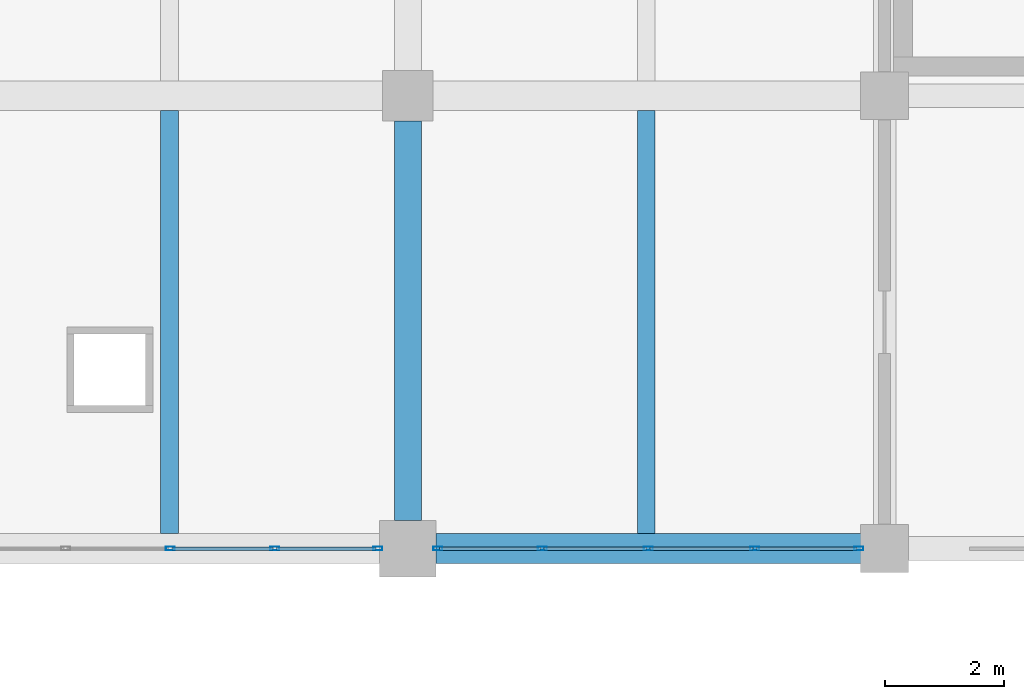
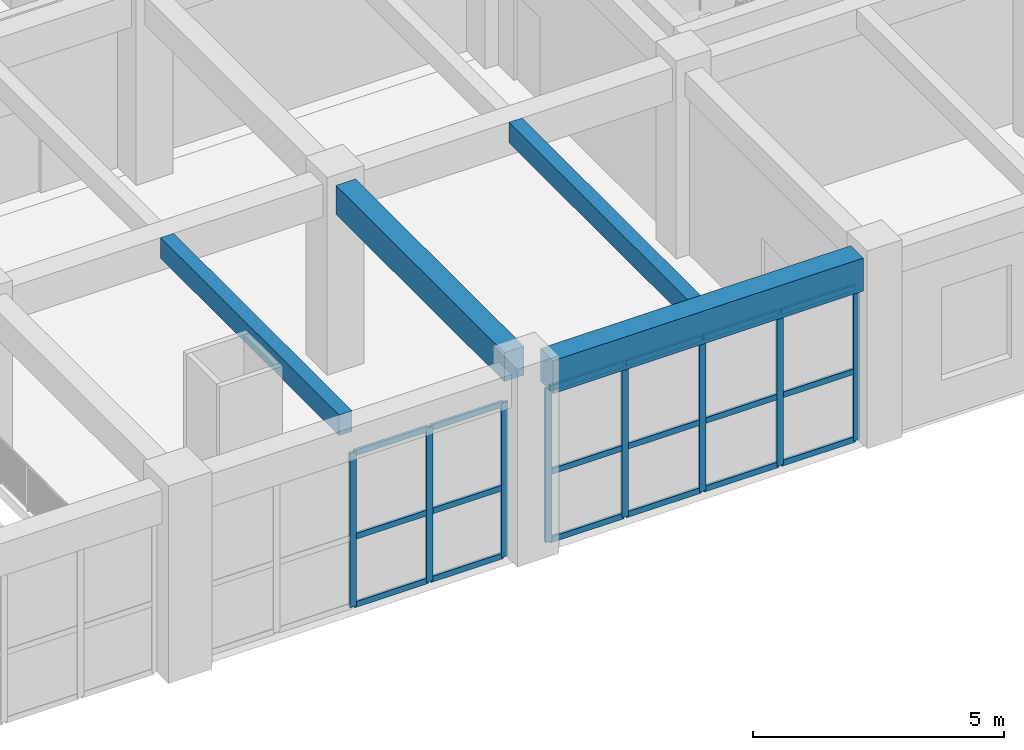
# One storey, part 25 of 101: 26 members, 4 beams, 2 elements without a shape of their own.
"""IFC4 building model written with IfcOpenShell, lengths in metres."""

from ifc_helpers import new_model, si_unit, direction, frame, origin, origin_2d, place, context, subcontext, project, spatial, rectangle, hollow_rectangle, extrude, material, material_profile, profile_set, type_object, element, aggregate, save


model = new_model("IFC4")

# Units and contexts
model_context = context("Model", 3, precision=1e-05, world=origin(), true_north=direction((0.0, 1.0)))
body_context = subcontext(model_context, "Body", "Model", "MODEL_VIEW")
ifc_project = project(units=[si_unit("LENGTHUNIT", "METRE"), si_unit("AREAUNIT", "SQUARE_METRE"), si_unit("VOLUMEUNIT", "CUBIC_METRE"), si_unit("PLANEANGLEUNIT", "RADIAN"), si_unit("MASSUNIT", "GRAM", prefix="KILO")], contexts=[model_context])

# Site, building, storey
site_placement = place(None, origin())
site = spatial("IfcSite", under=ifc_project, at=site_placement, CompositionType="ELEMENT")
building_placement = place(site_placement, origin())
building = spatial("IfcBuilding", under=site, at=building_placement, Name="Zantavel Square City Hall", CompositionType="ELEMENT")
storey_placement = place(building_placement, frame((0.0, 0.0, 5.39990234375)))
storey = spatial("IfcBuildingStorey", under=building, at=storey_placement, Name="L02", CompositionType="ELEMENT", Elevation=5.39990234375)

# Curtain wall, members
ifc_material_1 = material(Name="Anodised aluminium 6063-T6", Category="aluminium")
curtain_wall_type_1 = type_object("IfcCurtainWallType", Name="Curtain Wall TRV1 7125x3740", PredefinedType="USERDEFINED", material=ifc_material_1)
curtain_wall_1_placement = place(storey_placement, origin())
curtain_wall_1 = element("IfcCurtainWall", 1, at=curtain_wall_1_placement, inside=storey, type_object=curtain_wall_type_1, Name="L02 Glazed Curtain Wall CW-L02-044", ObjectType="GLAZED CURTAIN WALL", PredefinedType="USERDEFINED")
ifc_material_profile_1 = material_profile(ifc_material_1, hollow_rectangle(XDim=0.06494140625, YDim=0.14990234375, WallThickness=0.00390625, at=origin_2d()), Name="ALU 65x150x4")
ifc_profile_set_1 = profile_set([ifc_material_profile_1], Name="Anodised aluminium 6063-T6")
member_type_1 = type_object("IfcMemberType", Name="CW Mullion ALU 65x150x4", PredefinedType="MULLION", material=ifc_profile_set_1)
member_1_placement = place(storey_placement, frame((111.570068359375, 30.39990234375, 0.0), z_axis=(0.0, 0.0, 1.0), x_axis=(0.0, -1.0, 0.0)))
member_1 = element("IfcMember", 2, at=member_1_placement, type_object=member_type_1, Name="CW-044 mullion 1", PredefinedType="MULLION", context=body_context, shape_type="SweptSolid", body=[
    extrude(hollow_rectangle(XDim=0.06494140625, YDim=0.14990234375, WallThickness=0.00390625, at=origin_2d()), origin(), (0.0, 0.0, 1.0), 3.739990234375),
])
member_2_placement = place(storey_placement, frame((109.81884765625, 30.39990234375, 0.0), z_axis=(0.0, 0.0, 1.0), x_axis=(0.0, -1.0, 0.0)))
member_2 = element("IfcMember", 3, at=member_2_placement, type_object=member_type_1, Name="CW-044 mullion 2", PredefinedType="MULLION", context=body_context, shape_type="SweptSolid", body=[
    extrude(hollow_rectangle(XDim=0.06494140625, YDim=0.14990234375, WallThickness=0.00390625, at=origin_2d()), origin(), (0.0, 0.0, 1.0), 3.739990234375),
])
member_3_placement = place(storey_placement, frame((108.03759765625, 30.39990234375, 0.0), z_axis=(0.0, 0.0, 1.0), x_axis=(0.0, -1.0, 0.0)))
member_3 = element("IfcMember", 4, at=member_3_placement, type_object=member_type_1, Name="CW-044 mullion 3", PredefinedType="MULLION", context=body_context, shape_type="SweptSolid", body=[
    extrude(hollow_rectangle(XDim=0.06494140625, YDim=0.14990234375, WallThickness=0.00390625, at=origin_2d()), origin(), (0.0, 0.0, 1.0), 3.739990234375),
])
member_4_placement = place(storey_placement, frame((106.25634765625, 30.39990234375, 0.0), z_axis=(0.0, 0.0, 1.0), x_axis=(0.0, -1.0, 0.0)))
member_4 = element("IfcMember", 5, at=member_4_placement, type_object=member_type_1, Name="CW-044 mullion 4", PredefinedType="MULLION", context=body_context, shape_type="SweptSolid", body=[
    extrude(hollow_rectangle(XDim=0.06494140625, YDim=0.14990234375, WallThickness=0.00390625, at=origin_2d()), origin(), (0.0, 0.0, 1.0), 3.739990234375),
])
member_5_placement = place(storey_placement, frame((104.5048828125, 30.39990234375, 0.0), z_axis=(0.0, 0.0, 1.0), x_axis=(0.0, -1.0, 0.0)))
member_5 = element("IfcMember", 6, at=member_5_placement, type_object=member_type_1, Name="CW-044 mullion 5", PredefinedType="MULLION", context=body_context, shape_type="SweptSolid", body=[
    extrude(hollow_rectangle(XDim=0.06494140625, YDim=0.14990234375, WallThickness=0.00390625, at=origin_2d()), origin(), (0.0, 0.0, 1.0), 3.739990234375),
])

curtain_wall_type_2 = type_object("IfcCurtainWallType", Name="Curtain Wall TRV1 7025x3740", PredefinedType="USERDEFINED", material=ifc_material_1)
curtain_wall_2_placement = place(storey_placement, origin())
curtain_wall_2 = element("IfcCurtainWall", 7, at=curtain_wall_2_placement, inside=storey, type_object=curtain_wall_type_2, Name="L02 Glazed Curtain Wall CW-L02-045", ObjectType="GLAZED CURTAIN WALL", PredefinedType="USERDEFINED")
member_6_placement = place(storey_placement, frame((103.4951171875, 30.39990234375, 0.0), z_axis=(0.0, 0.0, 1.0), x_axis=(0.0, -1.0, 0.0)))
member_6 = element("IfcMember", 8, at=member_6_placement, type_object=member_type_1, Name="CW-045 mullion 1", PredefinedType="MULLION", context=body_context, shape_type="SweptSolid", body=[
    extrude(hollow_rectangle(XDim=0.06494140625, YDim=0.14990234375, WallThickness=0.00390625, at=origin_2d()), origin(), (0.0, 0.0, 1.0), 3.739990234375),
])
member_7_placement = place(storey_placement, frame((101.768798828125, 30.39990234375, 0.0), z_axis=(0.0, 0.0, 1.0), x_axis=(0.0, -1.0, 0.0)))
member_7 = element("IfcMember", 9, at=member_7_placement, type_object=member_type_1, Name="CW-045 mullion 2", PredefinedType="MULLION", context=body_context, shape_type="SweptSolid", body=[
    extrude(hollow_rectangle(XDim=0.06494140625, YDim=0.14990234375, WallThickness=0.00390625, at=origin_2d()), origin(), (0.0, 0.0, 1.0), 3.739990234375),
])
member_8_placement = place(storey_placement, frame((100.012451171875, 30.39990234375, 0.0), z_axis=(0.0, 0.0, 1.0), x_axis=(0.0, -1.0, 0.0)))
member_8 = element("IfcMember", 10, at=member_8_placement, type_object=member_type_1, Name="CW-045 mullion 3", PredefinedType="MULLION", context=body_context, shape_type="SweptSolid", body=[
    extrude(hollow_rectangle(XDim=0.06494140625, YDim=0.14990234375, WallThickness=0.00390625, at=origin_2d()), origin(), (0.0, 0.0, 1.0), 3.739990234375),
])

# Member
ifc_material_profile_2 = material_profile(ifc_material_1, hollow_rectangle(XDim=0.06005859375, YDim=0.139892578125, WallThickness=0.00390625, at=origin_2d()), Name="ALU 60x140x4")
ifc_profile_set_2 = profile_set([ifc_material_profile_2], Name="Anodised aluminium 6063-T6")
member_type_2 = type_object("IfcMemberType", Name="CW Transom ALU 60x140x4", PredefinedType="USERDEFINED", material=ifc_profile_set_2)
member_9_placement = place(storey_placement, frame((111.5400390625, 30.39990234375, 0.030029296875), z_axis=(-1.0, 0.0, 0.0), x_axis=(0.0, -1.0, 0.0)))
member_9 = element("IfcMember", 11, at=member_9_placement, type_object=member_type_2, Name="CW-044 transom 1.1", ObjectType="TRANSOM", PredefinedType="USERDEFINED", context=body_context, shape_type="SweptSolid", body=[
    extrude(hollow_rectangle(XDim=0.06005859375, YDim=0.139892578125, WallThickness=0.00390625, at=origin_2d()), origin(), (0.0, 0.0, 1.0), 1.69140625),
])

member_10_placement = place(storey_placement, frame((111.5400390625, 30.39990234375, 1.68310546875), z_axis=(-1.0, 0.0, 0.0), x_axis=(0.0, -1.0, 0.0)))
member_10 = element("IfcMember", 12, at=member_10_placement, type_object=member_type_2, Name="CW-044 transom 1.2", ObjectType="TRANSOM", PredefinedType="USERDEFINED", context=body_context, shape_type="SweptSolid", body=[
    extrude(hollow_rectangle(XDim=0.06005859375, YDim=0.139892578125, WallThickness=0.00390625, at=origin_2d()), origin(), (0.0, 0.0, 1.0), 1.69140625),
])

member_11_placement = place(storey_placement, frame((111.5400390625, 30.39990234375, 3.710205078125), z_axis=(-1.0, 0.0, 0.0), x_axis=(0.0, -1.0, 0.0)))
member_11 = element("IfcMember", 13, at=member_11_placement, type_object=member_type_2, Name="CW-044 transom 1.3", ObjectType="TRANSOM", PredefinedType="USERDEFINED", context=body_context, shape_type="SweptSolid", body=[
    extrude(hollow_rectangle(XDim=0.06005859375, YDim=0.139892578125, WallThickness=0.00390625, at=origin_2d()), origin(), (0.0, 0.0, 1.0), 1.69140625),
])

member_12_placement = place(storey_placement, frame((109.788818359375, 30.39990234375, 0.030029296875), z_axis=(-1.0, 0.0, 0.0), x_axis=(0.0, -1.0, 0.0)))
member_12 = element("IfcMember", 14, at=member_12_placement, type_object=member_type_2, Name="CW-044 transom 2.1", ObjectType="TRANSOM", PredefinedType="USERDEFINED", context=body_context, shape_type="SweptSolid", body=[
    extrude(hollow_rectangle(XDim=0.06005859375, YDim=0.139892578125, WallThickness=0.00390625, at=origin_2d()), origin(), (0.0, 0.0, 1.0), 1.721435546875),
])

member_13_placement = place(storey_placement, frame((109.788818359375, 30.39990234375, 1.68310546875), z_axis=(-1.0, 0.0, 0.0), x_axis=(0.0, -1.0, 0.0)))
member_13 = element("IfcMember", 15, at=member_13_placement, type_object=member_type_2, Name="CW-044 transom 2.2", ObjectType="TRANSOM", PredefinedType="USERDEFINED", context=body_context, shape_type="SweptSolid", body=[
    extrude(hollow_rectangle(XDim=0.06005859375, YDim=0.139892578125, WallThickness=0.00390625, at=origin_2d()), origin(), (0.0, 0.0, 1.0), 1.721435546875),
])

member_14_placement = place(storey_placement, frame((109.788818359375, 30.39990234375, 3.710205078125), z_axis=(-1.0, 0.0, 0.0), x_axis=(0.0, -1.0, 0.0)))
member_14 = element("IfcMember", 16, at=member_14_placement, type_object=member_type_2, Name="CW-044 transom 2.3", ObjectType="TRANSOM", PredefinedType="USERDEFINED", context=body_context, shape_type="SweptSolid", body=[
    extrude(hollow_rectangle(XDim=0.06005859375, YDim=0.139892578125, WallThickness=0.00390625, at=origin_2d()), origin(), (0.0, 0.0, 1.0), 1.721435546875),
])

member_15_placement = place(storey_placement, frame((108.007568359375, 30.39990234375, 0.030029296875), z_axis=(-1.0, 0.0, 0.0), x_axis=(0.0, -1.0, 0.0)))
member_15 = element("IfcMember", 17, at=member_15_placement, type_object=member_type_2, Name="CW-044 transom 3.1", ObjectType="TRANSOM", PredefinedType="USERDEFINED", context=body_context, shape_type="SweptSolid", body=[
    extrude(hollow_rectangle(XDim=0.06005859375, YDim=0.139892578125, WallThickness=0.00390625, at=origin_2d()), origin(), (0.0, 0.0, 1.0), 1.721435546875),
])

member_16_placement = place(storey_placement, frame((108.007568359375, 30.39990234375, 1.68310546875), z_axis=(-1.0, 0.0, 0.0), x_axis=(0.0, -1.0, 0.0)))
member_16 = element("IfcMember", 18, at=member_16_placement, type_object=member_type_2, Name="CW-044 transom 3.2", ObjectType="TRANSOM", PredefinedType="USERDEFINED", context=body_context, shape_type="SweptSolid", body=[
    extrude(hollow_rectangle(XDim=0.06005859375, YDim=0.139892578125, WallThickness=0.00390625, at=origin_2d()), origin(), (0.0, 0.0, 1.0), 1.721435546875),
])

member_17_placement = place(storey_placement, frame((108.007568359375, 30.39990234375, 3.710205078125), z_axis=(-1.0, 0.0, 0.0), x_axis=(0.0, -1.0, 0.0)))
member_17 = element("IfcMember", 19, at=member_17_placement, type_object=member_type_2, Name="CW-044 transom 3.3", ObjectType="TRANSOM", PredefinedType="USERDEFINED", context=body_context, shape_type="SweptSolid", body=[
    extrude(hollow_rectangle(XDim=0.06005859375, YDim=0.139892578125, WallThickness=0.00390625, at=origin_2d()), origin(), (0.0, 0.0, 1.0), 1.721435546875),
])

member_18_placement = place(storey_placement, frame((106.226318359375, 30.39990234375, 0.030029296875), z_axis=(-1.0, 0.0, 0.0), x_axis=(0.0, -1.0, 0.0)))
member_18 = element("IfcMember", 20, at=member_18_placement, type_object=member_type_2, Name="CW-044 transom 4.1", ObjectType="TRANSOM", PredefinedType="USERDEFINED", context=body_context, shape_type="SweptSolid", body=[
    extrude(hollow_rectangle(XDim=0.06005859375, YDim=0.139892578125, WallThickness=0.00390625, at=origin_2d()), origin(), (0.0, 0.0, 1.0), 1.69140625),
])

member_19_placement = place(storey_placement, frame((106.226318359375, 30.39990234375, 1.68310546875), z_axis=(-1.0, 0.0, 0.0), x_axis=(0.0, -1.0, 0.0)))
member_19 = element("IfcMember", 21, at=member_19_placement, type_object=member_type_2, Name="CW-044 transom 4.2", ObjectType="TRANSOM", PredefinedType="USERDEFINED", context=body_context, shape_type="SweptSolid", body=[
    extrude(hollow_rectangle(XDim=0.06005859375, YDim=0.139892578125, WallThickness=0.00390625, at=origin_2d()), origin(), (0.0, 0.0, 1.0), 1.69140625),
])

member_20_placement = place(storey_placement, frame((106.226318359375, 30.39990234375, 3.710205078125), z_axis=(-1.0, 0.0, 0.0), x_axis=(0.0, -1.0, 0.0)))
member_20 = element("IfcMember", 22, at=member_20_placement, type_object=member_type_2, Name="CW-044 transom 4.3", ObjectType="TRANSOM", PredefinedType="USERDEFINED", context=body_context, shape_type="SweptSolid", body=[
    extrude(hollow_rectangle(XDim=0.06005859375, YDim=0.139892578125, WallThickness=0.00390625, at=origin_2d()), origin(), (0.0, 0.0, 1.0), 1.69140625),
])

aggregate(curtain_wall_1, [member_1, member_2, member_3, member_4, member_5, member_9, member_10, member_11, member_12, member_13, member_14, member_15, member_16, member_17, member_18, member_19, member_20])

member_21_placement = place(storey_placement, frame((103.465087890625, 30.39990234375, 0.030029296875), z_axis=(-1.0, 0.0, 0.0), x_axis=(0.0, -1.0, 0.0)))
member_21 = element("IfcMember", 23, at=member_21_placement, type_object=member_type_2, Name="CW-045 transom 1.1", ObjectType="TRANSOM", PredefinedType="USERDEFINED", context=body_context, shape_type="SweptSolid", body=[
    extrude(hollow_rectangle(XDim=0.06005859375, YDim=0.139892578125, WallThickness=0.00390625, at=origin_2d()), origin(), (0.0, 0.0, 1.0), 1.666259765625),
])

member_22_placement = place(storey_placement, frame((103.465087890625, 30.39990234375, 1.68310546875), z_axis=(-1.0, 0.0, 0.0), x_axis=(0.0, -1.0, 0.0)))
member_22 = element("IfcMember", 24, at=member_22_placement, type_object=member_type_2, Name="CW-045 transom 1.2", ObjectType="TRANSOM", PredefinedType="USERDEFINED", context=body_context, shape_type="SweptSolid", body=[
    extrude(hollow_rectangle(XDim=0.06005859375, YDim=0.139892578125, WallThickness=0.00390625, at=origin_2d()), origin(), (0.0, 0.0, 1.0), 1.666259765625),
])

member_23_placement = place(storey_placement, frame((103.465087890625, 30.39990234375, 3.710205078125), z_axis=(-1.0, 0.0, 0.0), x_axis=(0.0, -1.0, 0.0)))
member_23 = element("IfcMember", 25, at=member_23_placement, type_object=member_type_2, Name="CW-045 transom 1.3", ObjectType="TRANSOM", PredefinedType="USERDEFINED", context=body_context, shape_type="SweptSolid", body=[
    extrude(hollow_rectangle(XDim=0.06005859375, YDim=0.139892578125, WallThickness=0.00390625, at=origin_2d()), origin(), (0.0, 0.0, 1.0), 1.666259765625),
])

member_24_placement = place(storey_placement, frame((101.73876953125, 30.39990234375, 0.030029296875), z_axis=(-1.0, 0.0, 0.0), x_axis=(0.0, -1.0, 0.0)))
member_24 = element("IfcMember", 26, at=member_24_placement, type_object=member_type_2, Name="CW-045 transom 2.1", ObjectType="TRANSOM", PredefinedType="USERDEFINED", context=body_context, shape_type="SweptSolid", body=[
    extrude(hollow_rectangle(XDim=0.06005859375, YDim=0.139892578125, WallThickness=0.00390625, at=origin_2d()), origin(), (0.0, 0.0, 1.0), 1.6962890625),
])

member_25_placement = place(storey_placement, frame((101.73876953125, 30.39990234375, 1.68310546875), z_axis=(-1.0, 0.0, 0.0), x_axis=(0.0, -1.0, 0.0)))
member_25 = element("IfcMember", 27, at=member_25_placement, type_object=member_type_2, Name="CW-045 transom 2.2", ObjectType="TRANSOM", PredefinedType="USERDEFINED", context=body_context, shape_type="SweptSolid", body=[
    extrude(hollow_rectangle(XDim=0.06005859375, YDim=0.139892578125, WallThickness=0.00390625, at=origin_2d()), origin(), (0.0, 0.0, 1.0), 1.6962890625),
])

member_26_placement = place(storey_placement, frame((101.73876953125, 30.39990234375, 3.710205078125), z_axis=(-1.0, 0.0, 0.0), x_axis=(0.0, -1.0, 0.0)))
member_26 = element("IfcMember", 28, at=member_26_placement, type_object=member_type_2, Name="CW-045 transom 2.3", ObjectType="TRANSOM", PredefinedType="USERDEFINED", context=body_context, shape_type="SweptSolid", body=[
    extrude(hollow_rectangle(XDim=0.06005859375, YDim=0.139892578125, WallThickness=0.00390625, at=origin_2d()), origin(), (0.0, 0.0, 1.0), 1.6962890625),
])

aggregate(curtain_wall_2, [member_6, member_7, member_8, member_21, member_22, member_23, member_24, member_25, member_26])

# Beams
ifc_material_2 = material(Name="Concrete C35/45", Category="concrete")
ifc_material_profile_3 = material_profile(ifc_material_2, rectangle(XDim=0.300048828125, YDim=0.5, at=origin_2d()), Name="RC 300x500")
ifc_profile_set_3 = profile_set([ifc_material_profile_3], Name="Concrete C35/45")
beam_type_1 = type_object("IfcBeamType", Name="Floor Joist RC 300x500 C35/45", PredefinedType="JOIST", material=ifc_profile_set_3)
for number, where, z_axis, x_axis, name in (
    (29, (100.0, 30.64990234375, 4.2900390625), (0.0, 1.0, 0.0), (-1.0, 0.0, 0.0), "L02 Floor Joist JST-L02-1000-0304"),
    (30, (108.0, 30.64990234375, 4.2900390625), (0.0, 1.0, 0.0), (-1.0, 0.0, 0.0), "L02 Floor Joist JST-L02-1080-0304"),
):
    element("IfcBeam", number, at=place(storey_placement, frame(where, z_axis=z_axis, x_axis=x_axis)), inside=storey, type_object=beam_type_1, Name=name, PredefinedType="JOIST", context=body_context, shape_type="SweptSolid", body=[
        extrude(rectangle(XDim=0.300048828125, YDim=0.5, at=origin_2d()), origin(), (0.0, 0.0, 1.0), 7.10009765625),
    ])
ifc_material_profile_4 = material_profile(ifc_material_2, rectangle(XDim=0.449951171875, YDim=0.699951171875, at=origin_2d()), Name="RC 450x700")
ifc_profile_set_4 = profile_set([ifc_material_profile_4], Name="Concrete C35/45")
beam_type_2 = type_object("IfcBeamType", Name="Primary Girder RC 450x700 C35/45", PredefinedType="BEAM", material=ifc_profile_set_4)
beam_1_placement = place(storey_placement, frame((104.0, 30.875, 4.190185546875), z_axis=(0.0, 1.0, 0.0), x_axis=(-1.0, 0.0, 0.0)))
element("IfcBeam", 31, at=beam_1_placement, inside=storey, type_object=beam_type_2, Name="L02 Beam BMY-L02-1040-0304", PredefinedType="BEAM", context=body_context, shape_type="SweptSolid", body=[
    extrude(rectangle(XDim=0.449951171875, YDim=0.699951171875, at=origin_2d()), origin(), (0.0, 0.0, 1.0), 6.699951171875),
])
ifc_material_profile_5 = material_profile(ifc_material_2, rectangle(XDim=0.5, YDim=0.800048828125, at=origin_2d()), Name="RC 500x800")
ifc_profile_set_5 = profile_set([ifc_material_profile_5], Name="Concrete C35/45")
beam_type_3 = type_object("IfcBeamType", Name="Primary Girder RC 500x800 C35/45", PredefinedType="BEAM", material=ifc_profile_set_5)
beam_2_placement = place(storey_placement, frame((104.47509765625, 30.39990234375, 4.14013671875), z_axis=(1.0, 0.0, 0.0), x_axis=(0.0, 1.0, 0.0)))
element("IfcBeam", 32, at=beam_2_placement, inside=storey, type_object=beam_type_3, Name="L02 Girder BMX-L02-1040-0304", PredefinedType="BEAM", context=body_context, shape_type="SweptSolid", body=[
    extrude(rectangle(XDim=0.5, YDim=0.800048828125, at=origin_2d()), origin(), (0.0, 0.0, 1.0), 7.125),
])

save(model, "model.ifc")
